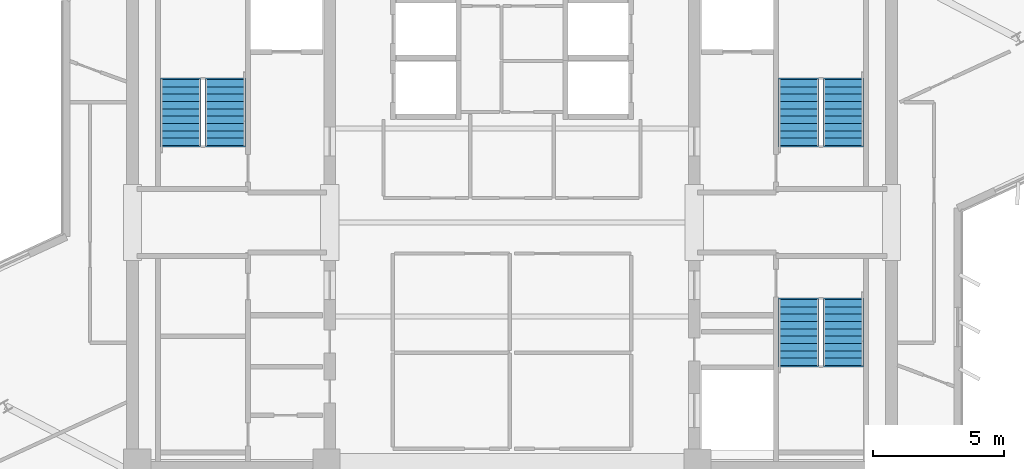
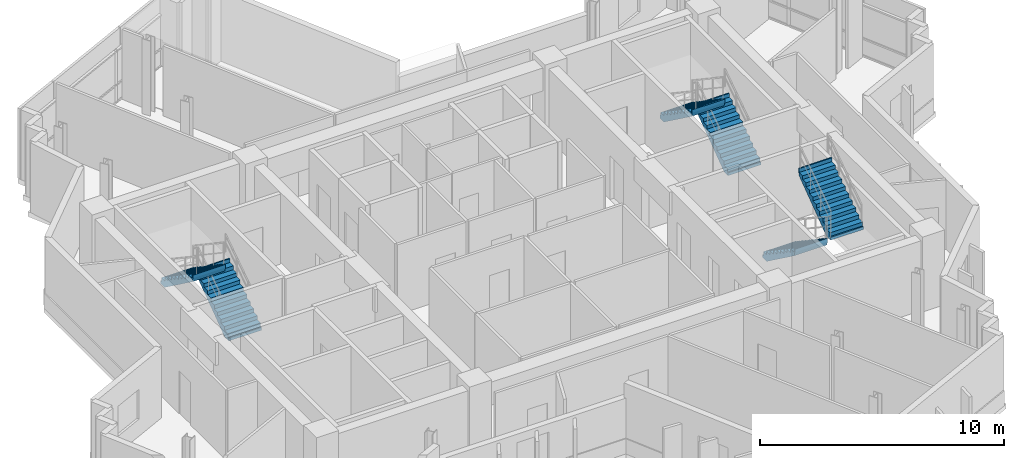
# One storey, part 9 of 12: 6 stair flights, 3 elements without a shape of their own.
"""IFC4 building model written with IfcOpenShell, lengths in metres."""

from ifc_helpers import new_model, si_unit, direction, frame, origin, place, context, subcontext, project, spatial, polyline, outline, extrude, material, type_object, element, aggregate, save


model = new_model("IFC4")

# Units and contexts
model_context = context("Model", 3, precision=1e-05, world=origin(), true_north=direction((0.0, 1.0)))
body_context = subcontext(model_context, "Body", "Model", "MODEL_VIEW")
ifc_project = project(units=[si_unit("LENGTHUNIT", "METRE"), si_unit("AREAUNIT", "SQUARE_METRE"), si_unit("VOLUMEUNIT", "CUBIC_METRE"), si_unit("PLANEANGLEUNIT", "RADIAN"), si_unit("MASSUNIT", "GRAM", prefix="KILO")], contexts=[model_context])

# Site, building, storey
site_placement = place(None, origin())
site = spatial("IfcSite", under=ifc_project, at=site_placement, CompositionType="ELEMENT")
building_placement = place(site_placement, origin())
building = spatial("IfcBuilding", under=site, at=building_placement, Name="Zahravan Cultural Tower", CompositionType="ELEMENT")
storey_placement = place(building_placement, frame((0.0, 0.0, 242.85009765625)))
storey = spatial("IfcBuildingStorey", under=building, at=storey_placement, Name="L57", CompositionType="ELEMENT", Elevation=242.85009765625)

# Stair, stair flights
ifc_material = material(Name="Concrete C45/55", Category="concrete")
stair_type = type_object("IfcStairType", Name="STR-DL-1550-375", PredefinedType="HALF_TURN_STAIR", material=ifc_material)
stair_1_placement = place(storey_placement, origin())
stair_1 = element("IfcStair", 1, at=stair_1_placement, inside=storey, type_object=stair_type, Name="L57 West Core North Exit Stair ST-W1", PredefinedType="HALF_TURN_STAIR")
stair_flight_type = type_object("IfcStairFlightType", Name="FLG-DL-1550-375", PredefinedType="STRAIGHT", material=ifc_material)
stair_flight_1_placement = place(storey_placement, frame((25.02490234375, 29.949951171875, 0.0), z_axis=(0.0, 0.0, 1.0), x_axis=(0.0, 1.0, 0.0)))
stair_flight_1 = element("IfcStairFlight", 2, at=stair_flight_1_placement, type_object=stair_flight_type, Name="ST-W1 flight 1", NumberOfRisers=10, NumberOfTreads=9, PredefinedType="STRAIGHT", RiserHeight=0.1875, TreadLength=0.28, context=body_context, shape_type="SweptSolid", body=[
    extrude(outline(polyline([(-0.06494140625, -0.139892578125), (-0.06494140625, 0.0), (0.0, 0.0), (0.0, 0.1875), (0.280029296875, 0.1875), (0.280029296875, 0.375), (0.56005859375, 0.375), (0.56005859375, 0.5625), (0.840087890625, 0.5625), (0.840087890625, 0.75), (1.1201171875, 0.75), (1.1201171875, 0.9375), (1.39990234375, 0.9375), (1.39990234375, 1.125), (1.679931640625, 1.125), (1.679931640625, 1.3125), (1.9599609375, 1.3125), (1.9599609375, 1.5), (2.239990234375, 1.5), (2.239990234375, 1.6875), (2.52001953125, 1.6875), (2.52001953125, 1.875), (2.5849609375, 1.875), (2.5849609375, 1.72509765625), (2.52001953125, 1.507080078125), (0.26953125, -0.139892578125), (-0.06494140625, -0.139892578125)])), frame((0.0, 0.77490234375, 0.0), z_axis=(0.0, -1.0, 0.0), x_axis=(1.0, 0.0, 0.0)), (0.0, 0.0, 1.0), 1.550048828125),
])
stair_flight_2_placement = place(storey_placement, frame((23.324951171875, 32.469970703125, 1.875), z_axis=(0.0, 0.0, 1.0), x_axis=(0.0, -1.0, 0.0)))
stair_flight_2 = element("IfcStairFlight", 3, at=stair_flight_2_placement, type_object=stair_flight_type, Name="ST-W1 flight 2", NumberOfRisers=10, NumberOfTreads=9, PredefinedType="STRAIGHT", RiserHeight=0.1875, TreadLength=0.28, context=body_context, shape_type="SweptSolid", body=[
    extrude(outline(polyline([(-0.06494140625, -0.139892578125), (-0.06494140625, 0.0), (0.0, 0.0), (0.0, 0.1875), (0.280029296875, 0.1875), (0.280029296875, 0.375), (0.56005859375, 0.375), (0.56005859375, 0.5625), (0.840087890625, 0.5625), (0.840087890625, 0.75), (1.1201171875, 0.75), (1.1201171875, 0.9375), (1.39990234375, 0.9375), (1.39990234375, 1.125), (1.679931640625, 1.125), (1.679931640625, 1.3125), (1.9599609375, 1.3125), (1.9599609375, 1.5), (2.239990234375, 1.5), (2.239990234375, 1.6875), (2.52001953125, 1.6875), (2.52001953125, 1.875), (2.5849609375, 1.875), (2.5849609375, 1.72509765625), (2.52001953125, 1.507080078125), (0.26953125, -0.139892578125), (-0.06494140625, -0.139892578125)])), frame((0.0, 0.77490234375, 0.0), z_axis=(0.0, -1.0, 0.0), x_axis=(1.0, 0.0, 0.0)), (0.0, 0.0, 1.0), 1.550048828125),
])
aggregate(stair_1, [stair_flight_1, stair_flight_2])

stair_2_placement = place(storey_placement, origin())
stair_2 = element("IfcStair", 4, at=stair_2_placement, inside=storey, type_object=stair_type, Name="L57 East Core North Exit Stair ST-E1", PredefinedType="HALF_TURN_STAIR")
stair_flight_3_placement = place(storey_placement, frame((48.675048828125, 29.949951171875, 0.0), z_axis=(0.0, 0.0, 1.0), x_axis=(0.0, 1.0, 0.0)))
stair_flight_3 = element("IfcStairFlight", 5, at=stair_flight_3_placement, type_object=stair_flight_type, Name="ST-E1 flight 1", NumberOfRisers=10, NumberOfTreads=9, PredefinedType="STRAIGHT", RiserHeight=0.1875, TreadLength=0.28, context=body_context, shape_type="SweptSolid", body=[
    extrude(outline(polyline([(-0.06494140625, -0.139892578125), (-0.06494140625, 0.0), (0.0, 0.0), (0.0, 0.1875), (0.280029296875, 0.1875), (0.280029296875, 0.375), (0.56005859375, 0.375), (0.56005859375, 0.5625), (0.840087890625, 0.5625), (0.840087890625, 0.75), (1.1201171875, 0.75), (1.1201171875, 0.9375), (1.39990234375, 0.9375), (1.39990234375, 1.125), (1.679931640625, 1.125), (1.679931640625, 1.3125), (1.9599609375, 1.3125), (1.9599609375, 1.5), (2.239990234375, 1.5), (2.239990234375, 1.6875), (2.52001953125, 1.6875), (2.52001953125, 1.875), (2.5849609375, 1.875), (2.5849609375, 1.72509765625), (2.52001953125, 1.507080078125), (0.26953125, -0.139892578125), (-0.06494140625, -0.139892578125)])), frame((0.0, 0.77490234375, 0.0), z_axis=(0.0, -1.0, 0.0), x_axis=(1.0, 0.0, 0.0)), (0.0, 0.0, 1.0), 1.550048828125),
])
stair_flight_4_placement = place(storey_placement, frame((46.97509765625, 32.469970703125, 1.875), z_axis=(0.0, 0.0, 1.0), x_axis=(0.0, -1.0, 0.0)))
stair_flight_4 = element("IfcStairFlight", 6, at=stair_flight_4_placement, type_object=stair_flight_type, Name="ST-E1 flight 2", NumberOfRisers=10, NumberOfTreads=9, PredefinedType="STRAIGHT", RiserHeight=0.1875, TreadLength=0.28, context=body_context, shape_type="SweptSolid", body=[
    extrude(outline(polyline([(-0.06494140625, -0.139892578125), (-0.06494140625, 0.0), (0.0, 0.0), (0.0, 0.1875), (0.280029296875, 0.1875), (0.280029296875, 0.375), (0.56005859375, 0.375), (0.56005859375, 0.5625), (0.840087890625, 0.5625), (0.840087890625, 0.75), (1.1201171875, 0.75), (1.1201171875, 0.9375), (1.39990234375, 0.9375), (1.39990234375, 1.125), (1.679931640625, 1.125), (1.679931640625, 1.3125), (1.9599609375, 1.3125), (1.9599609375, 1.5), (2.239990234375, 1.5), (2.239990234375, 1.6875), (2.52001953125, 1.6875), (2.52001953125, 1.875), (2.5849609375, 1.875), (2.5849609375, 1.72509765625), (2.52001953125, 1.507080078125), (0.26953125, -0.139892578125), (-0.06494140625, -0.139892578125)])), frame((0.0, 0.77490234375, 0.0), z_axis=(0.0, -1.0, 0.0), x_axis=(1.0, 0.0, 0.0)), (0.0, 0.0, 1.0), 1.550048828125),
])
aggregate(stair_2, [stair_flight_3, stair_flight_4])

stair_3_placement = place(storey_placement, origin())
stair_3 = element("IfcStair", 7, at=stair_3_placement, inside=storey, type_object=stair_type, Name="L57 East Core South Exit Stair ST-E2", PredefinedType="HALF_TURN_STAIR")
stair_flight_5_placement = place(storey_placement, frame((46.97509765625, 24.050048828125, 0.0), z_axis=(0.0, 0.0, 1.0), x_axis=(0.0, -1.0, 0.0)))
stair_flight_5 = element("IfcStairFlight", 8, at=stair_flight_5_placement, type_object=stair_flight_type, Name="ST-E2 flight 1", NumberOfRisers=10, NumberOfTreads=9, PredefinedType="STRAIGHT", RiserHeight=0.1875, TreadLength=0.28, context=body_context, shape_type="SweptSolid", body=[
    extrude(outline(polyline([(-0.06494140625, -0.139892578125), (-0.06494140625, 0.0), (0.0, 0.0), (0.0, 0.1875), (0.280029296875, 0.1875), (0.280029296875, 0.375), (0.56005859375, 0.375), (0.56005859375, 0.5625), (0.840087890625, 0.5625), (0.840087890625, 0.75), (1.1201171875, 0.75), (1.1201171875, 0.9375), (1.39990234375, 0.9375), (1.39990234375, 1.125), (1.679931640625, 1.125), (1.679931640625, 1.3125), (1.9599609375, 1.3125), (1.9599609375, 1.5), (2.239990234375, 1.5), (2.239990234375, 1.6875), (2.52001953125, 1.6875), (2.52001953125, 1.875), (2.5849609375, 1.875), (2.5849609375, 1.72509765625), (2.52001953125, 1.507080078125), (0.26953125, -0.139892578125), (-0.06494140625, -0.139892578125)])), frame((0.0, 0.77490234375, 0.0), z_axis=(0.0, -1.0, 0.0), x_axis=(1.0, 0.0, 0.0)), (0.0, 0.0, 1.0), 1.550048828125),
])
stair_flight_6_placement = place(storey_placement, frame((48.675048828125, 21.530029296875, 1.875), z_axis=(0.0, 0.0, 1.0), x_axis=(0.0, 1.0, 0.0)))
stair_flight_6 = element("IfcStairFlight", 9, at=stair_flight_6_placement, type_object=stair_flight_type, Name="ST-E2 flight 2", NumberOfRisers=10, NumberOfTreads=9, PredefinedType="STRAIGHT", RiserHeight=0.1875, TreadLength=0.28, context=body_context, shape_type="SweptSolid", body=[
    extrude(outline(polyline([(-0.06494140625, -0.139892578125), (-0.06494140625, 0.0), (0.0, 0.0), (0.0, 0.1875), (0.280029296875, 0.1875), (0.280029296875, 0.375), (0.56005859375, 0.375), (0.56005859375, 0.5625), (0.840087890625, 0.5625), (0.840087890625, 0.75), (1.1201171875, 0.75), (1.1201171875, 0.9375), (1.39990234375, 0.9375), (1.39990234375, 1.125), (1.679931640625, 1.125), (1.679931640625, 1.3125), (1.9599609375, 1.3125), (1.9599609375, 1.5), (2.239990234375, 1.5), (2.239990234375, 1.6875), (2.52001953125, 1.6875), (2.52001953125, 1.875), (2.5849609375, 1.875), (2.5849609375, 1.72509765625), (2.52001953125, 1.507080078125), (0.26953125, -0.139892578125), (-0.06494140625, -0.139892578125)])), frame((0.0, 0.77490234375, 0.0), z_axis=(0.0, -1.0, 0.0), x_axis=(1.0, 0.0, 0.0)), (0.0, 0.0, 1.0), 1.550048828125),
])
aggregate(stair_3, [stair_flight_5, stair_flight_6])

save(model, "model.ifc")
